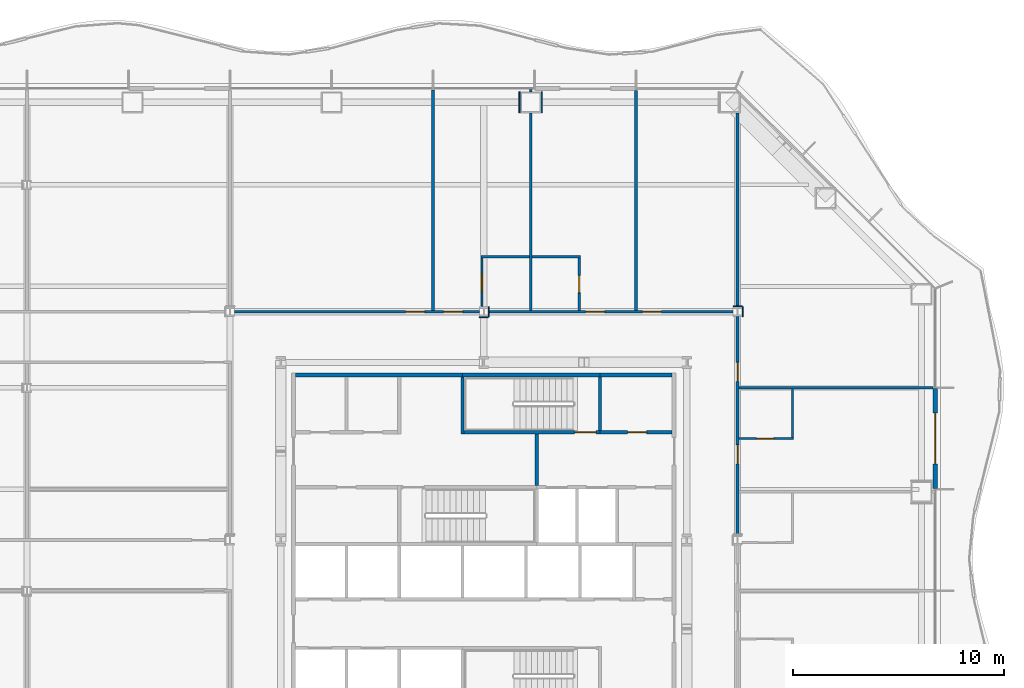
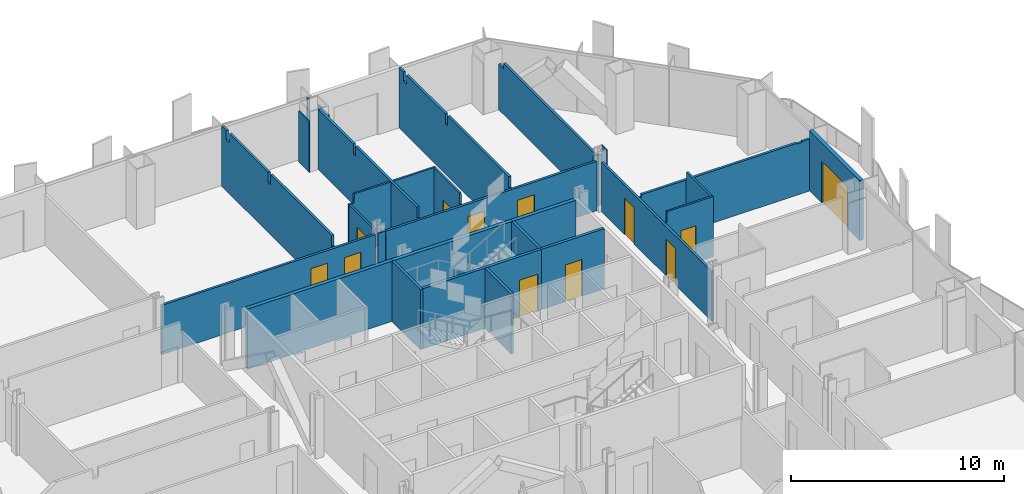
# One storey, part 13 of 21: 30 walls, 12 doors, 12 openings.
"""IFC4 building model written with IfcOpenShell, lengths in metres."""

from ifc_helpers import new_model, si_unit, direction, frame, frame_2d, origin, place, context, subcontext, project, spatial, polyline, rectangle, outline, extrude, material, layer, layer_set, type_object, element, fill, save


model = new_model("IFC4")

# Units and contexts
model_context = context("Model", 3, precision=1e-05, world=origin(), true_north=direction((0.0, 1.0)))
body_context = subcontext(model_context, "Body", "Model", "MODEL_VIEW")
ifc_project = project(units=[si_unit("LENGTHUNIT", "METRE"), si_unit("AREAUNIT", "SQUARE_METRE"), si_unit("VOLUMEUNIT", "CUBIC_METRE"), si_unit("PLANEANGLEUNIT", "RADIAN"), si_unit("MASSUNIT", "GRAM", prefix="KILO")], contexts=[model_context])

# Site, building, storey
site_placement = place(None, origin())
site = spatial("IfcSite", under=ifc_project, at=site_placement, CompositionType="ELEMENT")
building_placement = place(site_placement, origin())
building = spatial("IfcBuilding", under=site, at=building_placement, Name="Cairn Pilgrim Tower", CompositionType="ELEMENT")
storey_placement = place(building_placement, frame((0.0, 0.0, 58.199951171875)))
storey = spatial("IfcBuildingStorey", under=building, at=storey_placement, Name="L12", CompositionType="ELEMENT", Elevation=58.199951171875)

# Wall, opening, door
ifc_material_1 = material(Name="Bronze anodised aluminium insulated sandwich panel with mineral wool fill", Category="aluminium")
ifc_layer_1 = layer(ifc_material_1, 0.199951171875)
ifc_layer_set_1 = layer_set([ifc_layer_1], Name="BRONZE INFILL FRAME WALL 200")
wall_type_1 = type_object("IfcWallType", Name="BRONZE INFILL FRAME WALL 200", PredefinedType="NOTDEFINED", material=ifc_layer_set_1)
wall_1_placement = place(storey_placement, frame((28.550048828125, 4.830078125, 0.0), z_axis=(0.0, 0.0, 1.0), x_axis=(0.0, 1.0, 0.0)))
wall_1 = element("IfcWall", 1, at=wall_1_placement, inside=storey, type_object=wall_type_1, Name="Bronze infill frame wall IW-E5", PredefinedType="NOTDEFINED", context=body_context, shape_type="SweptSolid", body=[
    extrude(rectangle(XDim=4.739990234375, YDim=0.199951171875, at=frame_2d((2.3701171875, 0.0))), origin(), (0.0, 0.0, 1.0), 3.449951171875),
])
opening_1_placement = place(wall_1_placement, frame((1.169921875, 0.0, 0.0)))
opening_1 = element("IfcOpeningElement", 2, at=opening_1_placement, cuts=wall_1, Name="Opening 1226B", PredefinedType="OPENING", context=body_context, shape_type="SweptSolid", body=[
    extrude(rectangle(XDim=2.39990234375, YDim=2.39990234375, at=frame_2d((1.199951171875, 1.199951171875))), frame((0.0, 0.10986328125, 0.0), z_axis=(0.0, -1.0, 0.0), x_axis=(1.0, 0.0, 0.0)), (0.0, 0.0, 1.0), 0.219970703125),
])
ifc_material_2 = material(Name="Bronze anodised aluminium frame with tinted low-E glass", Category="aluminium")
door_type_1 = type_object("IfcDoorType", Name="BALCONY SLIDING DOOR 2400x2400", OperationType="DOUBLE_DOOR_SLIDING", PredefinedType="DOOR", material=ifc_material_2)
door_1_placement = place(opening_1_placement, origin())
door_1 = element("IfcDoor", 3, at=door_1_placement, inside=storey, type_object=door_type_1, Name="Balcony sliding door 1226B", OperationType="SINGLE_SWING_LEFT", OverallHeight=2.39990234375, OverallWidth=2.39990234375, PredefinedType="DOOR", context=body_context, shape_type="SweptSolid", body=[
    extrude(rectangle(XDim=2.39990234375, YDim=2.39990234375, at=frame_2d((1.199951171875, 1.199951171875))), frame((0.0, 0.02490234375, 0.0), z_axis=(0.0, -1.0, 0.0), x_axis=(1.0, 0.0, 0.0)), (0.0, 0.0, 1.0), 0.050048828125),
])
fill(opening_1, door_1)

# Walls
ifc_material_3 = material(Name="Concrete C32/40", Category="concrete")
ifc_layer_2 = layer(ifc_material_3, 0.199951171875)
ifc_layer_set_2 = layer_set([ifc_layer_2], Name="CORE OUTER WALL 200 EI 120")
wall_type_2 = type_object("IfcWallType", Name="CORE OUTER WALL 200 EI 120", PredefinedType="SOLIDWALL", material=ifc_layer_set_2)
wall_2_placement = place(storey_placement, frame((-1.699951171875, 10.199951171875, 0.0), z_axis=(0.0, 0.0, 1.0), x_axis=(1.0, 0.0, 0.0)))
element("IfcWall", 4, at=wall_2_placement, inside=storey, type_object=wall_type_2, Name="CW:L12:H11-1", PredefinedType="SOLIDWALL", context=body_context, shape_type="SweptSolid", body=[
    extrude(rectangle(XDim=7.89990234375, YDim=0.199951171875, at=frame_2d((3.949951171875, 0.0))), origin(), (0.0, 0.0, 1.0), 3.449951171875),
])
wall_3_placement = place(storey_placement, frame((12.699951171875, 10.199951171875, 0.0), z_axis=(0.0, 0.0, 1.0), x_axis=(1.0, 0.0, 0.0)))
element("IfcWall", 5, at=wall_3_placement, inside=storey, type_object=wall_type_2, Name="CW:L12:H11-3", PredefinedType="SOLIDWALL", context=body_context, shape_type="SweptSolid", body=[
    extrude(rectangle(XDim=3.400146484375, YDim=0.199951171875, at=frame_2d((1.7001953125, 0.0))), origin(), (0.0, 0.0, 1.0), 3.449951171875),
])

# Wall, opening, door
ifc_layer_3 = layer(ifc_material_3, 0.14990234375)
ifc_layer_set_3 = layer_set([ifc_layer_3], Name="CORE SHAFT WALL 150 EI 120")
wall_type_3 = type_object("IfcWallType", Name="CORE SHAFT WALL 150 EI 120", PredefinedType="SOLIDWALL", material=ifc_layer_set_3)
wall_4_placement = place(storey_placement, frame((12.699951171875, 7.5, 0.0), z_axis=(0.0, 0.0, 1.0), x_axis=(1.0, 0.0, 0.0)))
wall_4 = element("IfcWall", 6, at=wall_4_placement, inside=storey, type_object=wall_type_3, Name="CW:L12:H10-2", PredefinedType="SOLIDWALL", context=body_context, shape_type="SweptSolid", body=[
    extrude(rectangle(XDim=3.400146484375, YDim=0.14990234375, at=frame_2d((1.7001953125, 0.0))), origin(), (0.0, 0.0, 1.0), 3.449951171875),
])
opening_2_placement = place(wall_4_placement, frame((1.300048828125, 0.0, 0.0)))
opening_2 = element("IfcOpeningElement", 7, at=opening_2_placement, cuts=wall_4, Name="Opening RD-R4E", PredefinedType="OPENING", context=body_context, shape_type="SweptSolid", body=[
    extrude(rectangle(XDim=0.89990234375, YDim=2.10009765625, at=frame_2d((0.449951171875, 1.050048828125))), frame((0.0, 0.0849609375, 0.0), z_axis=(0.0, -1.0, 0.0), x_axis=(1.0, 0.0, 0.0)), (0.0, 0.0, 1.0), 0.169921875),
])
ifc_material_4 = material(Name="Painted steel", Category="steel")
door_type_2 = type_object("IfcDoorType", Name="SERVICE ROOM DOOR 900x2100", OperationType="SINGLE_SWING_LEFT", PredefinedType="DOOR", material=ifc_material_4)
door_2_placement = place(opening_2_placement, origin())
door_2 = element("IfcDoor", 8, at=door_2_placement, inside=storey, type_object=door_type_2, Name="RD-R4E", OperationType="SINGLE_SWING_RIGHT", OverallHeight=2.10009765625, OverallWidth=0.89990234375, PredefinedType="DOOR", context=body_context, shape_type="SweptSolid", body=[
    extrude(rectangle(XDim=0.89990234375, YDim=2.10009765625, at=frame_2d((0.449951171875, 1.050048828125))), frame((0.0, 0.02490234375, 0.0), z_axis=(0.0, -1.0, 0.0), x_axis=(1.0, 0.0, 0.0)), (0.0, 0.0, 1.0), 0.050048828125),
])
fill(opening_2, door_2)

# Wall
wall_5_placement = place(storey_placement, frame((9.699951171875, 4.97509765625, 0.0), z_axis=(0.0, 0.0, 1.0), x_axis=(0.0, 1.0, 0.0)))
element("IfcWall", 9, at=wall_5_placement, inside=storey, type_object=wall_type_3, Name="CW:L12:V25", PredefinedType="SOLIDWALL", context=body_context, shape_type="SweptSolid", body=[
    extrude(rectangle(XDim=2.449951171875, YDim=0.14990234375, at=frame_2d((1.22509765625, 0.0))), origin(), (0.0, 0.0, 1.0), 3.449951171875),
])

# Wall, opening, door
ifc_material_5 = material(Name="Gypsum partition")
ifc_layer_4 = layer(ifc_material_5, 0.10009765625)
ifc_layer_set_4 = layer_set([ifc_layer_4], Name="PARTITION 100 DRYWALL")
wall_type_4 = type_object("IfcWallType", Name="PARTITION 100 DRYWALL", PredefinedType="PARTITIONING", material=ifc_layer_set_4)
wall_6_placement = place(storey_placement, frame((19.262451171875, 7.199951171875, 0.0), z_axis=(0.0, 0.0, 1.0), x_axis=(1.0, 0.0, 0.0)))
wall_6 = element("IfcWall", 10, at=wall_6_placement, inside=storey, type_object=wall_type_4, Name="PARTITION W060", PredefinedType="PARTITIONING", context=body_context, shape_type="SweptSolid", body=[
    extrude(outline(polyline([(0.0, 0.0), (2.587646484375, 0.0), (2.58740234375, 3.449951171875), (0.08740234375, 3.449951171875), (0.08544921875, 2.830078125), (0.0, 2.830078125), (0.0, 0.0)])), frame((0.0, 0.050048828125, 0.0), z_axis=(0.0, -1.0, 0.0), x_axis=(1.0, 0.0, 0.0)), (0.0, 0.0, 1.0), 0.10009765625),
])
opening_3_placement = place(wall_6_placement, frame((0.83740234375, 0.0, 0.0)))
opening_3 = element("IfcOpeningElement", 11, at=opening_3_placement, cuts=wall_6, Name="Opening 1226E", PredefinedType="OPENING", context=body_context, shape_type="SweptSolid", body=[
    extrude(rectangle(XDim=0.800048828125, YDim=2.10009765625, at=frame_2d((0.39990234375, 1.050048828125))), frame((0.0, 0.06005859375, 0.0), z_axis=(0.0, -1.0, 0.0), x_axis=(1.0, 0.0, 0.0)), (0.0, 0.0, 1.0), 0.1201171875),
])
ifc_material_6 = material(Name="Timber door leaf", Category="wood")
door_type_3 = type_object("IfcDoorType", Name="DOOR 800x2100", OperationType="NOTDEFINED", PredefinedType="DOOR", material=ifc_material_6)
door_3_placement = place(opening_3_placement, origin())
door_3 = element("IfcDoor", 12, at=door_3_placement, inside=storey, type_object=door_type_3, Name="DOOR 1226E", OperationType="SINGLE_SWING_LEFT", OverallHeight=2.10009765625, OverallWidth=0.800048828125, PredefinedType="DOOR", context=body_context, shape_type="SweptSolid", body=[
    extrude(rectangle(XDim=0.800048828125, YDim=2.10009765625, at=frame_2d((0.39990234375, 1.050048828125))), frame((0.0, 0.02490234375, 0.0), z_axis=(0.0, -1.0, 0.0), x_axis=(1.0, 0.0, 0.0)), (0.0, 0.0, 1.0), 0.050048828125),
])
fill(opening_3, door_3)

# Wall
wall_7_placement = place(storey_placement, frame((21.800048828125, 7.25, 0.0), z_axis=(0.0, 0.0, 1.0), x_axis=(0.0, 1.0, 0.0)))
element("IfcWall", 13, at=wall_7_placement, inside=storey, type_object=wall_type_4, Name="PARTITION W061", PredefinedType="PARTITIONING", context=body_context, shape_type="SweptSolid", body=[
    extrude(outline(polyline([(0.0, 0.0), (2.28759765625, 0.0), (2.28759765625, 2.97998046875), (2.2548828125, 2.97998046875), (2.2529296875, 3.449951171875), (0.0, 3.449951171875), (0.0, 0.0)])), frame((0.0, 0.050048828125, 0.0), z_axis=(0.0, -1.0, 0.0), x_axis=(1.0, 0.0, 0.0)), (0.0, 0.0, 1.0), 0.10009765625),
])

# Wall, opening, door
wall_8_placement = place(storey_placement, frame((11.714111328125, 13.262451171875, 0.0), z_axis=(0.0, 0.0, 1.0), x_axis=(0.0, 1.0, 0.0)))
wall_8 = element("IfcWall", 14, at=wall_8_placement, inside=storey, type_object=wall_type_4, Name="PARTITION W073", PredefinedType="PARTITIONING", context=body_context, shape_type="SweptSolid", body=[
    extrude(outline(polyline([(0.0, 0.0), (2.487548828125, 0.0), (2.487548828125, 3.449951171875), (0.08740234375, 3.449951171875), (0.08544921875, 2.830078125), (0.0, 2.830078125), (0.0, 0.0)])), frame((0.0, 0.050048828125, 0.0), z_axis=(0.0, -1.0, 0.0), x_axis=(1.0, 0.0, 0.0)), (0.0, 0.0, 1.0), 0.10009765625),
])
opening_4_placement = place(wall_8_placement, frame((0.83740234375, 0.0, 0.0)))
opening_4 = element("IfcOpeningElement", 15, at=opening_4_placement, cuts=wall_8, Name="Opening 1220E", PredefinedType="OPENING", context=body_context, shape_type="SweptSolid", body=[
    extrude(rectangle(XDim=0.800048828125, YDim=2.10009765625, at=frame_2d((0.39990234375, 1.050048828125))), frame((0.0, 0.06005859375, 0.0), z_axis=(0.0, -1.0, 0.0), x_axis=(1.0, 0.0, 0.0)), (0.0, 0.0, 1.0), 0.1201171875),
])
door_4_placement = place(opening_4_placement, origin())
door_4 = element("IfcDoor", 16, at=door_4_placement, inside=storey, type_object=door_type_3, Name="DOOR 1220E", OperationType="SINGLE_SWING_LEFT", OverallHeight=2.10009765625, OverallWidth=0.800048828125, PredefinedType="DOOR", context=body_context, shape_type="SweptSolid", body=[
    extrude(rectangle(XDim=0.800048828125, YDim=2.10009765625, at=frame_2d((0.39990234375, 1.050048828125))), frame((0.0, 0.02490234375, 0.0), z_axis=(0.0, -1.0, 0.0), x_axis=(1.0, 0.0, 0.0)), (0.0, 0.0, 1.0), 0.050048828125),
])
fill(opening_4, door_4)

wall_9_placement = place(storey_placement, frame((7.114013671875, 13.43701171875, 0.0), z_axis=(0.0, 0.0, 1.0), x_axis=(0.0, 1.0, 0.0)))
wall_9 = element("IfcWall", 17, at=wall_9_placement, inside=storey, type_object=wall_type_4, Name="PARTITION W076", PredefinedType="PARTITIONING", context=body_context, shape_type="SweptSolid", body=[
    extrude(rectangle(XDim=2.31298828125, YDim=0.10009765625, at=frame_2d((1.156494140625, 0.0))), origin(), (0.0, 0.0, 1.0), 2.929931640625),
])
opening_5_placement = place(wall_9_placement, frame((0.762939453125, 0.0, 0.0)))
opening_5 = element("IfcOpeningElement", 18, at=opening_5_placement, cuts=wall_9, Name="Opening 1219E", PredefinedType="OPENING", context=body_context, shape_type="SweptSolid", body=[
    extrude(rectangle(XDim=0.800048828125, YDim=2.10009765625, at=frame_2d((0.39990234375, 1.050048828125))), frame((0.0, 0.06005859375, 0.0), z_axis=(0.0, -1.0, 0.0), x_axis=(1.0, 0.0, 0.0)), (0.0, 0.0, 1.0), 0.1201171875),
])
door_5_placement = place(opening_5_placement, frame((0.800048828125, 0.0, 0.0), z_axis=(0.0, 0.0, 1.0), x_axis=(-1.0, 0.0, 0.0)))
door_5 = element("IfcDoor", 19, at=door_5_placement, inside=storey, type_object=door_type_3, Name="DOOR 1219E", OperationType="SINGLE_SWING_LEFT", OverallHeight=2.10009765625, OverallWidth=0.800048828125, PredefinedType="DOOR", context=body_context, shape_type="SweptSolid", body=[
    extrude(rectangle(XDim=0.800048828125, YDim=2.10009765625, at=frame_2d((0.39990234375, 1.050048828125))), frame((0.0, 0.02490234375, 0.0), z_axis=(0.0, -1.0, 0.0), x_axis=(1.0, 0.0, 0.0)), (0.0, 0.0, 1.0), 0.050048828125),
])
fill(opening_5, door_5)

# Walls
wall_10_placement = place(storey_placement, frame((7.06396484375, 15.800048828125, 0.0), z_axis=(0.0, 0.0, 1.0), x_axis=(1.0, 0.0, 0.0)))
element("IfcWall", 20, at=wall_10_placement, inside=storey, type_object=wall_type_4, Name="PARTITION W080", PredefinedType="PARTITIONING", context=body_context, shape_type="SweptSolid", body=[
    extrude(outline(polyline([(0.0, 0.0), (2.28759765625, 0.0), (2.28759765625, 3.449951171875), (0.285888671875, 3.449951171875), (0.283935546875, 2.929931640625), (0.0, 2.929931640625), (0.0, 0.0)])), frame((0.0, 0.050048828125, 0.0), z_axis=(0.0, -1.0, 0.0), x_axis=(1.0, 0.0, 0.0)), (0.0, 0.0, 1.0), 0.10009765625),
])
wall_11_placement = place(storey_placement, frame((9.4765625, 15.800048828125, 0.0), z_axis=(0.0, 0.0, 1.0), x_axis=(1.0, 0.0, 0.0)))
element("IfcWall", 21, at=wall_11_placement, inside=storey, type_object=wall_type_4, Name="PARTITION W081", PredefinedType="PARTITIONING", context=body_context, shape_type="SweptSolid", body=[
    extrude(rectangle(XDim=2.287353515625, YDim=0.10009765625, at=frame_2d((1.1435546875, 0.0))), origin(), (0.0, 0.0, 1.0), 3.449951171875),
])

# Wall, openings, doors
ifc_layer_5 = layer(ifc_material_5, 0.125)
ifc_layer_set_5 = layer_set([ifc_layer_5], Name="PARTITION 125 DRYWALL EI 60")
wall_type_5 = type_object("IfcWallType", Name="PARTITION 125 DRYWALL EI 60", PredefinedType="PARTITIONING", material=ifc_layer_set_5)
wall_12_placement = place(storey_placement, frame((19.199951171875, 2.636962890625, 0.0), z_axis=(0.0, 0.0, 1.0), x_axis=(0.0, 1.0, 0.0)))
wall_12 = element("IfcWall", 22, at=wall_12_placement, inside=storey, type_object=wall_type_5, Name="PARTITION W054", PredefinedType="PARTITIONING", context=body_context, shape_type="SweptSolid", body=[
    extrude(rectangle(XDim=10.325927734375, YDim=0.125, at=frame_2d((5.1630859375, 0.0))), origin(), (0.0, 0.0, 1.0), 2.830078125),
])
opening_6_placement = place(wall_12_placement, frame((3.363037109375, 0.0, 0.0)))
opening_6 = element("IfcOpeningElement", 23, at=opening_6_placement, cuts=wall_12, Name="Opening 1226", PredefinedType="OPENING", context=body_context, shape_type="SweptSolid", body=[
    extrude(rectangle(XDim=0.89990234375, YDim=2.10009765625, at=frame_2d((0.449951171875, 1.050048828125))), frame((0.0, 0.072509765625, 0.0), z_axis=(0.0, -1.0, 0.0), x_axis=(1.0, 0.0, 0.0)), (0.0, 0.0, 1.0), 0.14501953125),
])
opening_7_placement = place(wall_12_placement, frame((7.262939453125, 0.0, 0.0)))
opening_7 = element("IfcOpeningElement", 24, at=opening_7_placement, cuts=wall_12, Name="Opening 1227", PredefinedType="OPENING", context=body_context, shape_type="SweptSolid", body=[
    extrude(rectangle(XDim=0.89990234375, YDim=2.10009765625, at=frame_2d((0.449951171875, 1.050048828125))), frame((0.0, 0.072509765625, 0.0), z_axis=(0.0, -1.0, 0.0), x_axis=(1.0, 0.0, 0.0)), (0.0, 0.0, 1.0), 0.14501953125),
])
ifc_material_7 = material(Name="Steel-faced fire door leaf", Category="steel")
door_type_4 = type_object("IfcDoorType", Name="FIRE DOOR 900x2100 FD30S", OperationType="NOTDEFINED", PredefinedType="DOOR", material=ifc_material_7)
door_6_placement = place(opening_6_placement, frame((0.89990234375, 0.0, 0.0), z_axis=(0.0, 0.0, 1.0), x_axis=(-1.0, 0.0, 0.0)))
door_6 = element("IfcDoor", 25, at=door_6_placement, inside=storey, type_object=door_type_4, Name="DOOR 1226", OperationType="SINGLE_SWING_RIGHT", OverallHeight=2.10009765625, OverallWidth=0.89990234375, PredefinedType="DOOR", context=body_context, shape_type="SweptSolid", body=[
    extrude(rectangle(XDim=0.89990234375, YDim=2.10009765625, at=frame_2d((0.449951171875, 1.050048828125))), frame((0.0, 0.02490234375, 0.0), z_axis=(0.0, -1.0, 0.0), x_axis=(1.0, 0.0, 0.0)), (0.0, 0.0, 1.0), 0.050048828125),
])
fill(opening_6, door_6)
door_7_placement = place(opening_7_placement, frame((0.89990234375, 0.0, 0.0), z_axis=(0.0, 0.0, 1.0), x_axis=(-1.0, 0.0, 0.0)))
door_7 = element("IfcDoor", 26, at=door_7_placement, inside=storey, type_object=door_type_4, Name="DOOR 1227", OperationType="SINGLE_SWING_RIGHT", OverallHeight=2.10009765625, OverallWidth=0.89990234375, PredefinedType="DOOR", context=body_context, shape_type="SweptSolid", body=[
    extrude(rectangle(XDim=0.89990234375, YDim=2.10009765625, at=frame_2d((0.449951171875, 1.050048828125))), frame((0.0, 0.02490234375, 0.0), z_axis=(0.0, -1.0, 0.0), x_axis=(1.0, 0.0, 0.0)), (0.0, 0.0, 1.0), 0.050048828125),
])
fill(opening_7, door_7)

# Wall
wall_13_placement = place(storey_placement, frame((19.262451171875, 9.60009765625, 0.0), z_axis=(0.0, 0.0, 1.0), x_axis=(1.0, 0.0, 0.0)))
element("IfcWall", 27, at=wall_13_placement, inside=storey, type_object=wall_type_5, Name="PARTITION W063", PredefinedType="PARTITIONING", context=body_context, shape_type="SweptSolid", body=[
    extrude(outline(polyline([(0.0, 0.0), (9.1875, 0.0), (9.1875, 2.97998046875), (8.78759765625, 2.97998046875), (8.785400390625, 2.929931640625), (8.487548828125, 2.929931640625), (8.485595703125, 2.97998046875), (0.08740234375, 2.97998046875), (0.08544921875, 2.830078125), (0.0, 2.830078125), (0.0, 0.0)])), frame((0.0, 0.0625, 0.0), z_axis=(0.0, -1.0, 0.0), x_axis=(1.0, 0.0, 0.0)), (0.0, 0.0, 1.0), 0.125),
])

# Wall, openings, doors
wall_14_placement = place(storey_placement, frame((-4.587890625, 13.199951171875, 0.0), z_axis=(0.0, 0.0, 1.0), x_axis=(1.0, 0.0, 0.0)))
wall_14 = element("IfcWall", 28, at=wall_14_placement, inside=storey, type_object=wall_type_5, Name="PARTITION W067", PredefinedType="PARTITIONING", context=body_context, shape_type="SweptSolid", body=[
    extrude(rectangle(XDim=11.575927734375, YDim=0.125, at=frame_2d((5.7880859375, 0.0))), origin(), (0.0, 0.0, 1.0), 2.830078125),
])
opening_8_placement = place(wall_14_placement, frame((8.087890625, 0.0, 0.0)))
opening_8 = element("IfcOpeningElement", 29, at=opening_8_placement, cuts=wall_14, Name="Opening 1218", PredefinedType="OPENING", context=body_context, shape_type="SweptSolid", body=[
    extrude(rectangle(XDim=0.89990234375, YDim=2.10009765625, at=frame_2d((0.449951171875, 1.050048828125))), frame((0.0, 0.072509765625, 0.0), z_axis=(0.0, -1.0, 0.0), x_axis=(1.0, 0.0, 0.0)), (0.0, 0.0, 1.0), 0.14501953125),
])
opening_9_placement = place(wall_14_placement, frame((9.887939453125, 0.0, 0.0)))
opening_9 = element("IfcOpeningElement", 30, at=opening_9_placement, cuts=wall_14, Name="Opening 1219", PredefinedType="OPENING", context=body_context, shape_type="SweptSolid", body=[
    extrude(rectangle(XDim=0.89990234375, YDim=2.10009765625, at=frame_2d((0.449951171875, 1.050048828125))), frame((0.0, 0.072509765625, 0.0), z_axis=(0.0, -1.0, 0.0), x_axis=(1.0, 0.0, 0.0)), (0.0, 0.0, 1.0), 0.14501953125),
])
door_8_placement = place(opening_8_placement, origin())
door_8 = element("IfcDoor", 31, at=door_8_placement, inside=storey, type_object=door_type_4, Name="DOOR 1218", OperationType="SINGLE_SWING_LEFT", OverallHeight=2.10009765625, OverallWidth=0.89990234375, PredefinedType="DOOR", context=body_context, shape_type="SweptSolid", body=[
    extrude(rectangle(XDim=0.89990234375, YDim=2.10009765625, at=frame_2d((0.449951171875, 1.050048828125))), frame((0.0, 0.02490234375, 0.0), z_axis=(0.0, -1.0, 0.0), x_axis=(1.0, 0.0, 0.0)), (0.0, 0.0, 1.0), 0.050048828125),
])
fill(opening_8, door_8)
door_9_placement = place(opening_9_placement, origin())
door_9 = element("IfcDoor", 32, at=door_9_placement, inside=storey, type_object=door_type_4, Name="DOOR 1219", OperationType="SINGLE_SWING_RIGHT", OverallHeight=2.10009765625, OverallWidth=0.89990234375, PredefinedType="DOOR", context=body_context, shape_type="SweptSolid", body=[
    extrude(rectangle(XDim=0.89990234375, YDim=2.10009765625, at=frame_2d((0.449951171875, 1.050048828125))), frame((0.0, 0.02490234375, 0.0), z_axis=(0.0, -1.0, 0.0), x_axis=(1.0, 0.0, 0.0)), (0.0, 0.0, 1.0), 0.050048828125),
])
fill(opening_9, door_9)

wall_15_placement = place(storey_placement, frame((7.412109375, 13.199951171875, 0.0), z_axis=(0.0, 0.0, 1.0), x_axis=(1.0, 0.0, 0.0)))
wall_15 = element("IfcWall", 33, at=wall_15_placement, inside=storey, type_object=wall_type_5, Name="PARTITION W068", PredefinedType="PARTITIONING", context=body_context, shape_type="SweptSolid", body=[
    extrude(rectangle(XDim=11.575927734375, YDim=0.125, at=frame_2d((5.7880859375, 0.0))), origin(), (0.0, 0.0, 1.0), 2.830078125),
])
opening_10_placement = place(wall_15_placement, frame((4.60205078125, 0.0, 0.0)))
opening_10 = element("IfcOpeningElement", 34, at=opening_10_placement, cuts=wall_15, Name="Opening 1220", PredefinedType="OPENING", context=body_context, shape_type="SweptSolid", body=[
    extrude(rectangle(XDim=0.89990234375, YDim=2.10009765625, at=frame_2d((0.449951171875, 1.050048828125))), frame((0.0, 0.072509765625, 0.0), z_axis=(0.0, -1.0, 0.0), x_axis=(1.0, 0.0, 0.0)), (0.0, 0.0, 1.0), 0.14501953125),
])
opening_11_placement = place(wall_15_placement, frame((7.2880859375, 0.0, 0.0)))
opening_11 = element("IfcOpeningElement", 35, at=opening_11_placement, cuts=wall_15, Name="Opening 1221", PredefinedType="OPENING", context=body_context, shape_type="SweptSolid", body=[
    extrude(rectangle(XDim=0.89990234375, YDim=2.10009765625, at=frame_2d((0.449951171875, 1.050048828125))), frame((0.0, 0.072509765625, 0.0), z_axis=(0.0, -1.0, 0.0), x_axis=(1.0, 0.0, 0.0)), (0.0, 0.0, 1.0), 0.14501953125),
])
door_10_placement = place(opening_10_placement, origin())
door_10 = element("IfcDoor", 36, at=door_10_placement, inside=storey, type_object=door_type_4, Name="DOOR 1220", OperationType="SINGLE_SWING_RIGHT", OverallHeight=2.10009765625, OverallWidth=0.89990234375, PredefinedType="DOOR", context=body_context, shape_type="SweptSolid", body=[
    extrude(rectangle(XDim=0.89990234375, YDim=2.10009765625, at=frame_2d((0.449951171875, 1.050048828125))), frame((0.0, 0.02490234375, 0.0), z_axis=(0.0, -1.0, 0.0), x_axis=(1.0, 0.0, 0.0)), (0.0, 0.0, 1.0), 0.050048828125),
])
fill(opening_10, door_10)
door_11_placement = place(opening_11_placement, origin())
door_11 = element("IfcDoor", 37, at=door_11_placement, inside=storey, type_object=door_type_4, Name="DOOR 1221", OperationType="SINGLE_SWING_RIGHT", OverallHeight=2.10009765625, OverallWidth=0.89990234375, PredefinedType="DOOR", context=body_context, shape_type="SweptSolid", body=[
    extrude(rectangle(XDim=0.89990234375, YDim=2.10009765625, at=frame_2d((0.449951171875, 1.050048828125))), frame((0.0, 0.02490234375, 0.0), z_axis=(0.0, -1.0, 0.0), x_axis=(1.0, 0.0, 0.0)), (0.0, 0.0, 1.0), 0.050048828125),
])
fill(opening_11, door_11)

# Walls
wall_16_placement = place(storey_placement, frame((4.800048828125, 13.262451171875, 0.0), z_axis=(0.0, 0.0, 1.0), x_axis=(0.0, 1.0, 0.0)))
element("IfcWall", 38, at=wall_16_placement, inside=storey, type_object=wall_type_5, Name="PARTITION W071", PredefinedType="PARTITIONING", context=body_context, shape_type="SweptSolid", body=[
    extrude(outline(polyline([(0.0, 0.0), (10.427490234375, 0.0), (10.427490234375, 3.449951171875), (9.987548828125, 3.449951171875), (9.985595703125, 2.929931640625), (9.6875, 2.929931640625), (9.685546875, 3.449951171875), (6.04248046875, 3.449951171875), (6.04052734375, 2.880126953125), (5.83251953125, 2.880126953125), (5.83056640625, 3.449951171875), (0.08740234375, 3.449951171875), (0.08544921875, 2.830078125), (0.0, 2.830078125), (0.0, 0.0)])), frame((0.0, 0.0625, 0.0), z_axis=(0.0, -1.0, 0.0), x_axis=(1.0, 0.0, 0.0)), (0.0, 0.0, 1.0), 0.125),
])
wall_17_placement = place(storey_placement, frame((9.4140625, 13.262451171875, 0.0), z_axis=(0.0, 0.0, 1.0), x_axis=(0.0, 1.0, 0.0)))
element("IfcWall", 39, at=wall_17_placement, inside=storey, type_object=wall_type_5, Name="PARTITION W072", PredefinedType="PARTITIONING", context=body_context, shape_type="SweptSolid", body=[
    extrude(outline(polyline([(0.0, 0.0), (9.337646484375, 0.0), (9.33740234375, 3.449951171875), (6.04248046875, 3.449951171875), (6.04052734375, 2.880126953125), (5.83251953125, 2.880126953125), (5.83056640625, 3.449951171875), (0.08740234375, 3.449951171875), (0.08544921875, 2.830078125), (0.0, 2.830078125), (0.0, 0.0)])), frame((0.0, 0.0625, 0.0), z_axis=(0.0, -1.0, 0.0), x_axis=(1.0, 0.0, 0.0)), (0.0, 0.0, 1.0), 0.125),
])
wall_18_placement = place(storey_placement, frame((14.39990234375, 13.262451171875, 0.0), z_axis=(0.0, 0.0, 1.0), x_axis=(0.0, 1.0, 0.0)))
element("IfcWall", 40, at=wall_18_placement, inside=storey, type_object=wall_type_5, Name="PARTITION W074", PredefinedType="PARTITIONING", context=body_context, shape_type="SweptSolid", body=[
    extrude(outline(polyline([(0.0, 0.0), (10.387451171875, 0.0), (10.387451171875, 3.449951171875), (9.987548828125, 3.449951171875), (9.985595703125, 2.929931640625), (9.6875, 2.929931640625), (9.685546875, 3.449951171875), (6.04248046875, 3.449951171875), (6.04052734375, 2.880126953125), (5.83251953125, 2.880126953125), (5.83056640625, 3.449951171875), (0.08740234375, 3.449951171875), (0.08544921875, 2.830078125), (0.0, 2.830078125), (0.0, 0.0)])), frame((0.0, 0.0625, 0.0), z_axis=(0.0, -1.0, 0.0), x_axis=(1.0, 0.0, 0.0)), (0.0, 0.0, 1.0), 0.125),
])
wall_19_placement = place(storey_placement, frame((19.199951171875, 13.43701171875, 0.0), z_axis=(0.0, 0.0, 1.0), x_axis=(0.0, 1.0, 0.0)))
element("IfcWall", 41, at=wall_19_placement, inside=storey, type_object=wall_type_5, Name="PARTITION W077", PredefinedType="PARTITIONING", context=body_context, shape_type="SweptSolid", body=[
    extrude(outline(polyline([(0.0, 0.0), (9.1630859375, 0.0), (9.1630859375, 2.630126953125), (8.732666015625, 2.630126953125), (8.730712890625, 2.929931640625), (0.0, 2.929931640625), (0.0, 0.0)])), frame((0.0, 0.0625, 0.0), z_axis=(0.0, -1.0, 0.0), x_axis=(1.0, 0.0, 0.0)), (0.0, 0.0, 1.0), 0.125),
])
wall_20_placement = place(storey_placement, frame((9.4140625, 23.60009765625, 0.0), z_axis=(0.0, 0.0, 1.0), x_axis=(0.0, 1.0, 0.0)))
element("IfcWall", 42, at=wall_20_placement, inside=storey, type_object=wall_type_5, Name="PARTITION W083", PredefinedType="PARTITIONING", context=body_context, shape_type="SweptSolid", body=[
    extrude(rectangle(XDim=0.102783203125, YDim=0.125, at=frame_2d((0.05126953125, 0.0))), origin(), (0.0, 0.0, 1.0), 3.449951171875),
])
ifc_layer_6 = layer(ifc_material_5, 0.050048828125)
ifc_layer_set_6 = layer_set([ifc_layer_6], Name="PARTITION 50 DRYWALL")
wall_type_6 = type_object("IfcWallType", Name="PARTITION 50 DRYWALL", PredefinedType="PARTITIONING", material=ifc_layer_set_6)
wall_21_placement = place(storey_placement, frame((7.43701171875, 12.962890625, 0.0), z_axis=(0.0, 0.0, 1.0), x_axis=(0.0, 1.0, 0.0)))
element("IfcWall", 43, at=wall_21_placement, inside=storey, type_object=wall_type_6, Name="COLUMN CASING WC37", PredefinedType="PARTITIONING", context=body_context, shape_type="SweptSolid", body=[
    extrude(rectangle(XDim=0.47412109375, YDim=0.050048828125, at=frame_2d((0.237060546875, 0.0))), origin(), (0.0, 0.0, 1.0), 2.830078125),
])
ifc_layer_7 = layer(ifc_material_5, 0.050048828125)
ifc_layer_set_7 = layer_set([ifc_layer_7], Name="PARTITION 50 DRYWALL EI 60")
wall_type_7 = type_object("IfcWallType", Name="PARTITION 50 DRYWALL EI 60", PredefinedType="PARTITIONING", material=ifc_layer_set_7)
wall_22_placement = place(storey_placement, frame((19.43701171875, 12.962890625, 0.0), z_axis=(0.0, 0.0, 1.0), x_axis=(0.0, 1.0, 0.0)))
element("IfcWall", 44, at=wall_22_placement, inside=storey, type_object=wall_type_7, Name="COLUMN CASING WC11", PredefinedType="PARTITIONING", context=body_context, shape_type="SweptSolid", body=[
    extrude(rectangle(XDim=0.47412109375, YDim=0.050048828125, at=frame_2d((0.237060546875, 0.0))), origin(), (0.0, 0.0, 1.0), 3.449951171875),
])
wall_23_placement = place(storey_placement, frame((6.988037109375, 12.93798828125, 0.0), z_axis=(0.0, 0.0, 1.0), x_axis=(1.0, 0.0, 0.0)))
element("IfcWall", 45, at=wall_23_placement, inside=storey, type_object=wall_type_7, Name="COLUMN CASING WC31", PredefinedType="PARTITIONING", context=body_context, shape_type="SweptSolid", body=[
    extrude(rectangle(XDim=0.424072265625, YDim=0.050048828125, at=frame_2d((0.2119140625, 0.0))), origin(), (0.0, 0.0, 1.0), 3.030029296875),
])
wall_24_placement = place(storey_placement, frame((18.988037109375, 13.4619140625, 0.0), z_axis=(0.0, 0.0, 1.0), x_axis=(1.0, 0.0, 0.0)))
element("IfcWall", 46, at=wall_24_placement, inside=storey, type_object=wall_type_7, Name="COLUMN CASING WC32", PredefinedType="PARTITIONING", context=body_context, shape_type="SweptSolid", body=[
    extrude(rectangle(XDim=0.424072265625, YDim=0.050048828125, at=frame_2d((0.2119140625, 0.0))), origin(), (0.0, 0.0, 1.0), 2.929931640625),
])
for number, where, z_axis, x_axis, name in (
    (47, (8.888671875, 22.60009765625, 0.0), (0.0, 0.0, 1.0), (0.0, 1.0, 0.0), "COLUMN CASING WC38"),
    (48, (9.938720703125, 22.60009765625, 0.0), (0.0, 0.0, 1.0), (0.0, 1.0, 0.0), "COLUMN CASING WC39"),
):
    element("IfcWall", number, at=place(storey_placement, frame(where, z_axis=z_axis, x_axis=x_axis)), inside=storey, type_object=wall_type_7, Name=name, PredefinedType="PARTITIONING", context=body_context, shape_type="SweptSolid", body=[
        extrude(rectangle(XDim=1.0, YDim=0.050048828125, at=frame_2d((0.5, 0.0))), origin(), (0.0, 0.0, 1.0), 2.929931640625),
    ])

# Wall, opening, door
ifc_material_8 = material(Name="Concrete C35/45", Category="concrete")
ifc_layer_8 = layer(ifc_material_8, 0.14990234375)
ifc_layer_set_8 = layer_set([ifc_layer_8], Name="STAIR SHAFT WALL 150 EI 120")
wall_type_8 = type_object("IfcWallType", Name="STAIR SHAFT WALL 150 EI 120", PredefinedType="SOLIDWALL", material=ifc_layer_set_8)
wall_25_placement = place(storey_placement, frame((6.27490234375, 7.5, 0.0), z_axis=(0.0, 0.0, 1.0), x_axis=(1.0, 0.0, 0.0)))
wall_25 = element("IfcWall", 49, at=wall_25_placement, inside=storey, type_object=wall_type_8, Name="CW:L12:H10-1", PredefinedType="SOLIDWALL", context=body_context, shape_type="SweptSolid", body=[
    extrude(rectangle(XDim=6.425048828125, YDim=0.14990234375, at=frame_2d((3.21240234375, 0.0))), origin(), (0.0, 0.0, 1.0), 3.449951171875),
])
opening_12_placement = place(wall_25_placement, frame((5.22509765625, 0.0, 0.0)))
opening_12 = element("IfcOpeningElement", 50, at=opening_12_placement, cuts=wall_25, Name="Opening SD-C", PredefinedType="OPENING", context=body_context, shape_type="SweptSolid", body=[
    extrude(rectangle(XDim=1.0, YDim=2.10009765625, at=frame_2d((0.5, 1.050048828125))), frame((0.0, 0.0849609375, 0.0), z_axis=(0.0, -1.0, 0.0), x_axis=(1.0, 0.0, 0.0)), (0.0, 0.0, 1.0), 0.169921875),
])
door_type_5 = type_object("IfcDoorType", Name="STAIR DOOR FD60S 1000x2100", OperationType="SINGLE_SWING_LEFT", PredefinedType="DOOR", material=ifc_material_4)
door_12_placement = place(opening_12_placement, origin())
door_12 = element("IfcDoor", 51, at=door_12_placement, inside=storey, type_object=door_type_5, Name="SD-C", OperationType="SINGLE_SWING_LEFT", OverallHeight=2.10009765625, OverallWidth=1.0, PredefinedType="DOOR", context=body_context, shape_type="SweptSolid", body=[
    extrude(rectangle(XDim=1.0, YDim=2.10009765625, at=frame_2d((0.5, 1.050048828125))), frame((0.0, 0.02490234375, 0.0), z_axis=(0.0, -1.0, 0.0), x_axis=(1.0, 0.0, 0.0)), (0.0, 0.0, 1.0), 0.050048828125),
])
fill(opening_12, door_12)

# Walls
wall_26_placement = place(storey_placement, frame((6.199951171875, 7.425048828125, 0.0), z_axis=(0.0, 0.0, 1.0), x_axis=(0.0, 1.0, 0.0)))
element("IfcWall", 52, at=wall_26_placement, inside=storey, type_object=wall_type_8, Name="CW:L12:V22", PredefinedType="SOLIDWALL", context=body_context, shape_type="SweptSolid", body=[
    extrude(rectangle(XDim=2.675048828125, YDim=0.14990234375, at=frame_2d((1.33740234375, 0.0))), origin(), (0.0, 0.0, 1.0), 3.449951171875),
])
wall_27_placement = place(storey_placement, frame((12.699951171875, 7.574951171875, 0.0), z_axis=(0.0, 0.0, 1.0), x_axis=(0.0, 1.0, 0.0)))
element("IfcWall", 53, at=wall_27_placement, inside=storey, type_object=wall_type_8, Name="CW:L12:V29", PredefinedType="SOLIDWALL", context=body_context, shape_type="SweptSolid", body=[
    extrude(rectangle(XDim=2.525146484375, YDim=0.14990234375, at=frame_2d((1.2626953125, 0.0))), origin(), (0.0, 0.0, 1.0), 3.449951171875),
])
ifc_layer_9 = layer(ifc_material_8, 0.199951171875)
ifc_layer_set_9 = layer_set([ifc_layer_9], Name="STAIR SHAFT WALL 200 EI 120")
wall_type_9 = type_object("IfcWallType", Name="STAIR SHAFT WALL 200 EI 120", PredefinedType="SOLIDWALL", material=ifc_layer_set_9)
wall_28_placement = place(storey_placement, frame((6.199951171875, 10.199951171875, 0.0), z_axis=(0.0, 0.0, 1.0), x_axis=(1.0, 0.0, 0.0)))
element("IfcWall", 54, at=wall_28_placement, inside=storey, type_object=wall_type_9, Name="CW:L12:H11-2", PredefinedType="SOLIDWALL", context=body_context, shape_type="SweptSolid", body=[
    extrude(rectangle(XDim=6.5, YDim=0.199951171875, at=frame_2d((3.25, 0.0))), origin(), (0.0, 0.0, 1.0), 3.449951171875),
])

save(model, "model.ifc")
